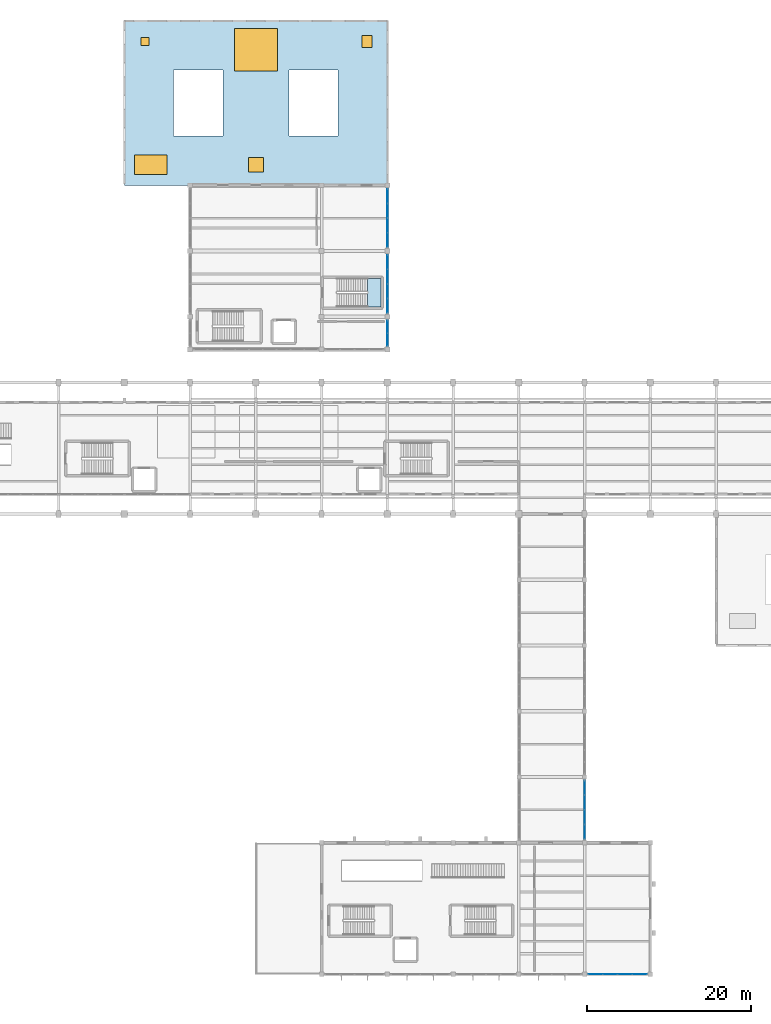
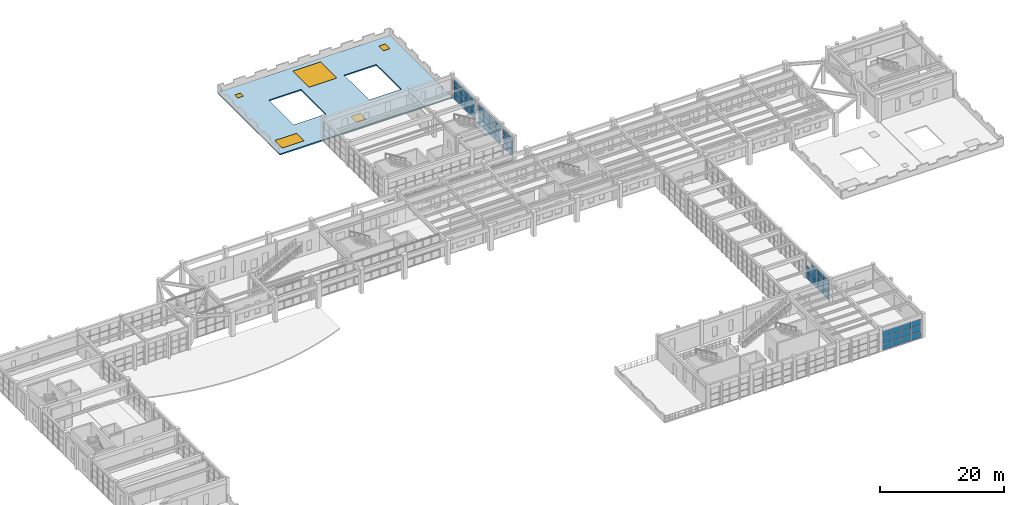
# One storey, part 35 of 59: 53 plates, 3 windows, 2 doors, 2 slabs, 5 openings, 6 elements without a shape of their own.
"""IFC4 building model written with IfcOpenShell, lengths in metres."""

import ifcopenshell
import ifcopenshell.guid

model = None  # the IFC model being written
_history = None  # IfcOwnerHistory: only IFC2X3 demands one
_inside = {}  # id of a spatial element -> (the spatial element, [elements in it])
_under = {}  # id of a project, library or spatial element -> (it, [spatial elements below it])
_declared = {}  # id of a project -> (the project, [libraries it declares])
_typed = {}  # id of a type object -> (the type object, [elements of that type])
_made_of = {}  # id of a material, layer set ... -> (it, [elements and type objects made of it])


def new_model(schema):
    """Start an empty IFC model of exactly this schema.

    Asked for "IFC4X3", IfcOpenShell would pick the latest addendum, in which some entities
    have other attributes; the version numbers below select the first issue.
    IFC2X3 requires an IfcOwnerHistory on every rooted entity: one is made here for all.
    """
    global model, _history
    if schema == "IFC4X3":
        model = ifcopenshell.file(schema_version=(4, 3, 0, 0))
    else:
        model = ifcopenshell.file(schema=schema)
    _inside.clear()
    _under.clear()
    _declared.clear()
    _typed.clear()
    _made_of.clear()
    _history = None
    if model.schema == "IFC2X3":
        org = make("IfcOrganization", Name="unknown")
        user = make(
            "IfcPersonAndOrganization",
            ThePerson=make("IfcPerson", FamilyName="unknown"),
            TheOrganization=org,
        )
        app = make(
            "IfcApplication",
            ApplicationDeveloper=org,
            Version="unknown",
            ApplicationFullName="unknown",
            ApplicationIdentifier="unknown",
        )
        _history = make(
            "IfcOwnerHistory",
            OwningUser=user,
            OwningApplication=app,
            ChangeAction="ADDED",
            CreationDate=0,
        )
    return model


def make(cls, **values):
    """One entity of the class cls with the attributes given. An attribute that is None is left unset."""
    return model.create_entity(
        cls, **{name: value for name, value in values.items() if value is not None}
    )


def rooted(cls, **values):
    """An entity with a GlobalId (a new one), such as an element, a storey or a relation."""
    return make(cls, GlobalId=ifcopenshell.guid.new(), OwnerHistory=_history, **values)


def si_unit(unit_type, name, prefix=None):
    """IfcSIUnit, for example si_unit("LENGTHUNIT", "METRE", prefix="MILLI")."""
    return make("IfcSIUnit", UnitType=unit_type, Prefix=prefix, Name=name)


def assignment(units):
    """IfcUnitAssignment: the units of a project."""
    return None if units is None else make("IfcUnitAssignment", Units=units)


def point(xyz):
    """IfcCartesianPoint."""
    return None if xyz is None else make("IfcCartesianPoint", Coordinates=xyz)


def direction(xyz):
    """IfcDirection."""
    return None if xyz is None else make("IfcDirection", DirectionRatios=xyz)


def frame(location, z_axis=None, x_axis=None):
    """IfcAxis2Placement3D, a coordinate frame: its origin and axes. An axis left out is left unset."""
    return make(
        "IfcAxis2Placement3D",
        Location=point(location),
        Axis=direction(z_axis),
        RefDirection=direction(x_axis),
    )


def frame_2d(location, x_axis=None):
    """IfcAxis2Placement2D, a coordinate frame in the plane: its origin and x axis."""
    return make(
        "IfcAxis2Placement2D", Location=point(location), RefDirection=direction(x_axis)
    )


def origin():
    """The frame at (0, 0, 0) with its axes left unset."""
    return frame((0.0, 0.0, 0.0))


def origin_2d():
    """The frame at (0, 0) in the plane with its x axis left unset."""
    return frame_2d((0.0, 0.0))


def place(relative_to, where):
    """IfcLocalPlacement: puts the frame where relative to a parent placement (None: the world)."""
    return make(
        "IfcLocalPlacement", PlacementRelTo=relative_to, RelativePlacement=where
    )


def context(
    kind, dimensions, precision=None, world=None, true_north=None, identifier=None
):
    """IfcGeometricRepresentationContext, for example the 3D "Model" context."""
    return make(
        "IfcGeometricRepresentationContext",
        ContextIdentifier=identifier,
        ContextType=kind,
        CoordinateSpaceDimension=dimensions,
        Precision=precision,
        WorldCoordinateSystem=world,
        TrueNorth=true_north,
    )


def subcontext(parent, identifier, kind, view, scale=None):
    """IfcGeometricRepresentationSubContext, for example "Body" below "Model"."""
    return make(
        "IfcGeometricRepresentationSubContext",
        ContextIdentifier=identifier,
        ContextType=kind,
        ParentContext=parent,
        TargetScale=scale,
        TargetView=view,
    )


def project(units=None, contexts=None):
    """IfcProject with its units and contexts."""
    return rooted(
        "IfcProject",
        Name="project",
        RepresentationContexts=contexts,
        UnitsInContext=assignment(units),
    )


def spatial(cls, under=None, at=None, **own):
    """A site, building, storey or space (cls), placed at a placement, below another one or the project."""
    s = rooted(cls, ObjectPlacement=at, **own)
    if under is not None:
        _under.setdefault(under.id(), (under, []))[1].append(s)
    return s


def polyline(points):
    """IfcPolyline through the points."""
    return make("IfcPolyline", Points=[point(p) for p in points])


def profile(cls, at=None, kind="AREA", **sizes):
    """A parametric profile (cls). Its sizes go by their IFC names, for example OverallWidth=200.0."""
    return make(cls, ProfileType=kind, Position=at, **sizes)


def rectangle(**sizes):
    """IfcRectangleProfileDef."""
    return profile("IfcRectangleProfileDef", **sizes)


def outline(outer, holes=None, kind="AREA"):
    """IfcArbitraryClosedProfileDef: a profile drawn as a closed curve; with holes, ...WithVoids."""
    if holes is None:
        return make("IfcArbitraryClosedProfileDef", ProfileType=kind, OuterCurve=outer)
    return make(
        "IfcArbitraryProfileDefWithVoids",
        ProfileType=kind,
        OuterCurve=outer,
        InnerCurves=holes,
    )


def extrude(swept, where, along, depth):
    """IfcExtrudedAreaSolid: the profile swept, set in the frame where, extruded along a direction by depth."""
    return make(
        "IfcExtrudedAreaSolid",
        SweptArea=swept,
        Position=where,
        ExtrudedDirection=direction(along),
        Depth=depth,
    )


def shape(context_of_items, identifier, shape_type, items):
    """IfcShapeRepresentation: the items that make up one representation, for example the "Body"."""
    return make(
        "IfcShapeRepresentation",
        ContextOfItems=context_of_items,
        RepresentationIdentifier=identifier,
        RepresentationType=shape_type,
        Items=items,
    )


def material(Name=None, Category=None):
    """IfcMaterial."""
    return make("IfcMaterial", Name=Name, Category=Category)


def layer(
    of_material, thickness, ventilated=None, Name=None, Category=None, Priority=None
):
    """IfcMaterialLayer: one layer of a wall or slab, of a material (None: an air gap)."""
    return make(
        "IfcMaterialLayer",
        Material=of_material,
        LayerThickness=thickness,
        IsVentilated=ventilated,
        Name=Name,
        Category=Category,
        Priority=Priority,
    )


def layer_set(layers, Name=None):
    """IfcMaterialLayerSet."""
    return make("IfcMaterialLayerSet", MaterialLayers=layers, LayerSetName=Name)


def made_of(thing, what):
    """Note that an element or type object is made of a material, layer set ...; save() writes the relation."""
    if what is not None:
        _made_of.setdefault(what.id(), (what, []))[1].append(thing)
    return thing


def type_object(cls, material=None, **own):
    """A type object (cls), such as IfcWallType, which elements share."""
    return made_of(rooted(cls, **own), material)


def element(
    cls,
    number,
    at=None,
    inside=None,
    cuts=None,
    type_object=None,
    material=None,
    context=None,
    identifier="Body",
    shape_type=None,
    held_by="IfcProductDefinitionShape",
    body=None,
    shapes=None,
    **own,
):
    """One element of the class cls, such as IfcWall. Its Tag is "e" and its number.

    at: its placement. inside: the storey or other place that contains it. cuts: it is an
    opening in that element (IfcRelVoidsElement). A single representation is given by context,
    identifier, shape_type and body (its items); several are given by shapes. held_by: the class
    of the entity that holds the representations. save() writes the other relations.
    """
    e = rooted(cls, Tag="e%d" % number, ObjectPlacement=at, **own)
    if body is not None:
        shapes = [shape(context, identifier, shape_type, body)]
    if shapes is not None:
        e.Representation = make(held_by, Representations=shapes)
    if inside is not None:
        _inside.setdefault(inside.id(), (inside, []))[1].append(e)
    if cuts is not None:
        rooted(
            "IfcRelVoidsElement", RelatingBuildingElement=cuts, RelatedOpeningElement=e
        )
    if type_object is not None:
        _typed.setdefault(type_object.id(), (type_object, []))[1].append(e)
    return made_of(e, material)


def fill(opening, filler):
    """IfcRelFillsElement: the door or window that sits in an opening."""
    return rooted(
        "IfcRelFillsElement",
        RelatingOpeningElement=opening,
        RelatedBuildingElement=filler,
    )


def aggregate(whole, parts):
    """IfcRelAggregates: a whole, such as a stair, and the parts it consists of."""
    return rooted("IfcRelAggregates", RelatingObject=whole, RelatedObjects=parts)


def save(model, path):
    """Write the relations noted so far, then the file.

    IfcRelAggregates (storeys below a building ...), IfcRelContainedInSpatialStructure (elements
    in a storey), IfcRelDefinesByType, IfcRelAssociatesMaterial and IfcRelDeclares: one each for
    every whole, place, type object, material and project.
    """
    for whole, parts in _under.values():
        aggregate(whole, parts)
    for where, things in _inside.values():
        rooted(
            "IfcRelContainedInSpatialStructure",
            RelatedElements=things,
            RelatingStructure=where,
        )
    for kind, things in _typed.values():
        rooted("IfcRelDefinesByType", RelatedObjects=things, RelatingType=kind)
    for what, things in _made_of.values():
        rooted("IfcRelAssociatesMaterial", RelatedObjects=things, RelatingMaterial=what)
    for by, libraries in _declared.values():
        rooted("IfcRelDeclares", RelatingContext=by, RelatedDefinitions=libraries)
    model.write(path)


model = new_model("IFC4")

# Units and contexts
model_context = context("Model", 3, precision=1e-05, world=origin(), true_north=direction((0.0, 1.0)))
body_context = subcontext(model_context, "Body", "Model", "MODEL_VIEW")
ifc_project = project(units=[si_unit("LENGTHUNIT", "METRE"), si_unit("AREAUNIT", "SQUARE_METRE"), si_unit("VOLUMEUNIT", "CUBIC_METRE"), si_unit("PLANEANGLEUNIT", "RADIAN"), si_unit("MASSUNIT", "GRAM", prefix="KILO")], contexts=[model_context])

# Site, building, storey
site_placement = place(None, origin())
site = spatial("IfcSite", under=ifc_project, at=site_placement, CompositionType="ELEMENT")
building_placement = place(site_placement, origin())
building = spatial("IfcBuilding", under=site, at=building_placement, Name="Serraluz Foothill Cableway Terminal", CompositionType="ELEMENT")
storey_placement = place(building_placement, frame((0.0, 0.0, 4.800048828125)))
storey = spatial("IfcBuildingStorey", under=building, at=storey_placement, Name="L01", CompositionType="ELEMENT", Elevation=4.800048828125)

# Curtain wall, plates
ifc_material_1 = material(Name="Architectural bronze alloy C28000", Category="aluminium")
curtain_wall_type_1 = type_object("IfcCurtainWallType", Name="TYP-CW-710X420", PredefinedType="NOTDEFINED", material=ifc_material_1)
curtain_wall_1_placement = place(storey_placement, origin())
curtain_wall_1 = element("IfcCurtainWall", 1, at=curtain_wall_1_placement, inside=storey, type_object=curtain_wall_type_1, Name="Ribbed Glazed Curtain Wall CW-CLE-L01-16", PredefinedType="NOTDEFINED")
ifc_material_2 = material(Name="Translucent ribbed laminated channel glass", Category="glass")
ifc_layer_1 = layer(ifc_material_2, 0.028076171875, Name="Translucent ribbed laminated channel glass", Category="glass")
ifc_layer_set_1 = layer_set([ifc_layer_1], Name="Translucent ribbed laminated channel glass")
plate_type_1 = type_object("IfcPlateType", Name="TYP-CW-PNL-28", PredefinedType="CURTAIN_PANEL", material=ifc_layer_set_1)
plate_1_placement = place(storey_placement, frame((128.0, 22.695556640625, 0.06005859375), z_axis=(0.0, 0.0, 1.0), x_axis=(0.0, -1.0, 0.0)))
plate_1 = element("IfcPlate", 2, at=plate_1_placement, type_object=plate_type_1, Name="CW-01 panel 1.1", PredefinedType="CURTAIN_PANEL", context=body_context, shape_type="SweptSolid", body=[
    extrude(rectangle(XDim=1.708740234375, YDim=0.028076171875, at=origin_2d()), origin(), (0.0, 0.0, 1.0), 1.224609375),
])
plate_2_placement = place(storey_placement, frame((128.0, 22.695556640625, 1.3447265625), z_axis=(0.0, 0.0, 1.0), x_axis=(0.0, -1.0, 0.0)))
plate_2 = element("IfcPlate", 3, at=plate_2_placement, type_object=plate_type_1, Name="CW-01 panel 1.2", PredefinedType="CURTAIN_PANEL", context=body_context, shape_type="SweptSolid", body=[
    extrude(rectangle(XDim=1.708740234375, YDim=0.028076171875, at=origin_2d()), origin(), (0.0, 0.0, 1.0), 1.254638671875),
])
plate_3_placement = place(storey_placement, frame((128.0, 20.911865234375, 0.06005859375), z_axis=(0.0, 0.0, 1.0), x_axis=(0.0, -1.0, 0.0)))
plate_3 = element("IfcPlate", 4, at=plate_3_placement, type_object=plate_type_1, Name="CW-01 panel 2.1", PredefinedType="CURTAIN_PANEL", context=body_context, shape_type="SweptSolid", body=[
    extrude(rectangle(XDim=1.73876953125, YDim=0.028076171875, at=origin_2d()), origin(), (0.0, 0.0, 1.0), 1.224609375),
])
plate_4_placement = place(storey_placement, frame((128.0, 20.911865234375, 1.3447265625), z_axis=(0.0, 0.0, 1.0), x_axis=(0.0, -1.0, 0.0)))
plate_4 = element("IfcPlate", 5, at=plate_4_placement, type_object=plate_type_1, Name="CW-01 panel 2.2", PredefinedType="CURTAIN_PANEL", context=body_context, shape_type="SweptSolid", body=[
    extrude(rectangle(XDim=1.73876953125, YDim=0.028076171875, at=origin_2d()), origin(), (0.0, 0.0, 1.0), 1.254638671875),
])
plate_5_placement = place(storey_placement, frame((128.0, 20.911865234375, 2.6591796875), z_axis=(0.0, 0.0, 1.0), x_axis=(0.0, -1.0, 0.0)))
plate_5 = element("IfcPlate", 6, at=plate_5_placement, type_object=plate_type_1, Name="CW-01 panel 2.3", PredefinedType="CURTAIN_PANEL", context=body_context, shape_type="SweptSolid", body=[
    extrude(rectangle(XDim=1.73876953125, YDim=0.028076171875, at=origin_2d()), origin(), (0.0, 0.0, 1.0), 1.224609375),
])
plate_6_placement = place(storey_placement, frame((128.0, 19.113037109375, 0.06005859375), z_axis=(0.0, 0.0, 1.0), x_axis=(0.0, -1.0, 0.0)))
plate_6 = element("IfcPlate", 7, at=plate_6_placement, type_object=plate_type_1, Name="CW-01 panel 3.1", PredefinedType="CURTAIN_PANEL", context=body_context, shape_type="SweptSolid", body=[
    extrude(rectangle(XDim=1.73876953125, YDim=0.028076171875, at=origin_2d()), origin(), (0.0, 0.0, 1.0), 1.224609375),
])
plate_7_placement = place(storey_placement, frame((128.0, 19.113037109375, 1.3447265625), z_axis=(0.0, 0.0, 1.0), x_axis=(0.0, -1.0, 0.0)))
plate_7 = element("IfcPlate", 8, at=plate_7_placement, type_object=plate_type_1, Name="CW-01 panel 3.2", PredefinedType="CURTAIN_PANEL", context=body_context, shape_type="SweptSolid", body=[
    extrude(rectangle(XDim=1.73876953125, YDim=0.028076171875, at=origin_2d()), origin(), (0.0, 0.0, 1.0), 1.254638671875),
])
plate_8_placement = place(storey_placement, frame((128.0, 19.113037109375, 2.6591796875), z_axis=(0.0, 0.0, 1.0), x_axis=(0.0, -1.0, 0.0)))
plate_8 = element("IfcPlate", 9, at=plate_8_placement, type_object=plate_type_1, Name="CW-01 panel 3.3", PredefinedType="CURTAIN_PANEL", context=body_context, shape_type="SweptSolid", body=[
    extrude(rectangle(XDim=1.73876953125, YDim=0.028076171875, at=origin_2d()), origin(), (0.0, 0.0, 1.0), 1.224609375),
])
plate_9_placement = place(storey_placement, frame((128.0, 17.329345703125, 0.06005859375), z_axis=(0.0, 0.0, 1.0), x_axis=(0.0, -1.0, 0.0)))
plate_9 = element("IfcPlate", 10, at=plate_9_placement, type_object=plate_type_1, Name="CW-01 panel 4.1", PredefinedType="CURTAIN_PANEL", context=body_context, shape_type="SweptSolid", body=[
    extrude(rectangle(XDim=1.708740234375, YDim=0.028076171875, at=origin_2d()), origin(), (0.0, 0.0, 1.0), 1.224609375),
])
plate_10_placement = place(storey_placement, frame((128.0, 17.329345703125, 1.3447265625), z_axis=(0.0, 0.0, 1.0), x_axis=(0.0, -1.0, 0.0)))
plate_10 = element("IfcPlate", 11, at=plate_10_placement, type_object=plate_type_1, Name="CW-01 panel 4.2", PredefinedType="CURTAIN_PANEL", context=body_context, shape_type="SweptSolid", body=[
    extrude(rectangle(XDim=1.708740234375, YDim=0.028076171875, at=origin_2d()), origin(), (0.0, 0.0, 1.0), 1.254638671875),
])
plate_11_placement = place(storey_placement, frame((128.0, 17.329345703125, 2.6591796875), z_axis=(0.0, 0.0, 1.0), x_axis=(0.0, -1.0, 0.0)))
plate_11 = element("IfcPlate", 12, at=plate_11_placement, type_object=plate_type_1, Name="CW-01 panel 4.3", PredefinedType="CURTAIN_PANEL", context=body_context, shape_type="SweptSolid", body=[
    extrude(rectangle(XDim=1.708740234375, YDim=0.028076171875, at=origin_2d()), origin(), (0.0, 0.0, 1.0), 1.224609375),
])
aggregate(curtain_wall_1, [plate_1, plate_2, plate_3, plate_4, plate_5, plate_6, plate_7, plate_8, plate_9, plate_10, plate_11])

curtain_wall_type_2 = type_object("IfcCurtainWallType", Name="TYP-CW-680X420", PredefinedType="NOTDEFINED", material=ifc_material_1)
curtain_wall_2_placement = place(storey_placement, origin())
curtain_wall_2 = element("IfcCurtainWall", 13, at=curtain_wall_2_placement, inside=storey, type_object=curtain_wall_type_2, Name="Ribbed Glazed Curtain Wall CW-V4E-L01-76", PredefinedType="NOTDEFINED")
plate_12_placement = place(storey_placement, frame((104.0, 78.764892578125, 0.06005859375), z_axis=(0.0, 0.0, 1.0), x_axis=(0.0, -1.0, 0.0)))
plate_12 = element("IfcPlate", 14, at=plate_12_placement, type_object=plate_type_1, Name="CW-13 panel 1.1", PredefinedType="CURTAIN_PANEL", context=body_context, shape_type="SweptSolid", body=[
    extrude(rectangle(XDim=1.469970703125, YDim=0.028076171875, at=origin_2d()), origin(), (0.0, 0.0, 1.0), 1.20458984375),
])
plate_13_placement = place(storey_placement, frame((104.0, 78.764892578125, 1.32470703125), z_axis=(0.0, 0.0, 1.0), x_axis=(0.0, -1.0, 0.0)))
plate_13 = element("IfcPlate", 15, at=plate_13_placement, type_object=plate_type_1, Name="CW-13 panel 1.2", PredefinedType="CURTAIN_PANEL", context=body_context, shape_type="SweptSolid", body=[
    extrude(rectangle(XDim=1.469970703125, YDim=0.028076171875, at=origin_2d()), origin(), (0.0, 0.0, 1.0), 1.234619140625),
])
plate_14_placement = place(storey_placement, frame((104.0, 78.764892578125, 2.619384765625), z_axis=(0.0, 0.0, 1.0), x_axis=(0.0, -1.0, 0.0)))
plate_14 = element("IfcPlate", 16, at=plate_14_placement, type_object=plate_type_1, Name="CW-13 panel 1.3", PredefinedType="CURTAIN_PANEL", context=body_context, shape_type="SweptSolid", body=[
    extrude(rectangle(XDim=1.469970703125, YDim=0.028076171875, at=origin_2d()), origin(), (0.0, 0.0, 1.0), 1.20458984375),
])
plate_15_placement = place(storey_placement, frame((104.0, 77.235107421875, 0.06005859375), z_axis=(0.0, 0.0, 1.0), x_axis=(0.0, -1.0, 0.0)))
plate_15 = element("IfcPlate", 17, at=plate_15_placement, type_object=plate_type_1, Name="CW-13 panel 2.1", PredefinedType="CURTAIN_PANEL", context=body_context, shape_type="SweptSolid", body=[
    extrude(rectangle(XDim=1.469970703125, YDim=0.028076171875, at=origin_2d()), origin(), (0.0, 0.0, 1.0), 1.20458984375),
])
plate_16_placement = place(storey_placement, frame((104.0, 77.235107421875, 1.32470703125), z_axis=(0.0, 0.0, 1.0), x_axis=(0.0, -1.0, 0.0)))
plate_16 = element("IfcPlate", 18, at=plate_16_placement, type_object=plate_type_1, Name="CW-13 panel 2.2", PredefinedType="CURTAIN_PANEL", context=body_context, shape_type="SweptSolid", body=[
    extrude(rectangle(XDim=1.469970703125, YDim=0.028076171875, at=origin_2d()), origin(), (0.0, 0.0, 1.0), 1.234619140625),
])
plate_17_placement = place(storey_placement, frame((104.0, 77.235107421875, 2.619384765625), z_axis=(0.0, 0.0, 1.0), x_axis=(0.0, -1.0, 0.0)))
plate_17 = element("IfcPlate", 19, at=plate_17_placement, type_object=plate_type_1, Name="CW-13 panel 2.3", PredefinedType="CURTAIN_PANEL", context=body_context, shape_type="SweptSolid", body=[
    extrude(rectangle(XDim=1.469970703125, YDim=0.028076171875, at=origin_2d()), origin(), (0.0, 0.0, 1.0), 1.20458984375),
])
aggregate(curtain_wall_2, [plate_12, plate_13, plate_14, plate_15, plate_16, plate_17])

curtain_wall_3_placement = place(storey_placement, origin())
curtain_wall_3 = element("IfcCurtainWall", 20, at=curtain_wall_3_placement, inside=storey, type_object=curtain_wall_type_2, Name="Ribbed Glazed Curtain Wall CW-V4E-L01-80", PredefinedType="NOTDEFINED")
plate_18_placement = place(storey_placement, frame((104.0, 86.655029296875, 0.06005859375), z_axis=(0.0, 0.0, 1.0), x_axis=(0.0, -1.0, 0.0)))
plate_18 = element("IfcPlate", 21, at=plate_18_placement, type_object=plate_type_1, Name="CW-13 panel 1.1", PredefinedType="CURTAIN_PANEL", context=body_context, shape_type="SweptSolid", body=[
    extrude(rectangle(XDim=1.68994140625, YDim=0.028076171875, at=origin_2d()), origin(), (0.0, 0.0, 1.0), 1.20458984375),
])
plate_19_placement = place(storey_placement, frame((104.0, 86.655029296875, 1.32470703125), z_axis=(0.0, 0.0, 1.0), x_axis=(0.0, -1.0, 0.0)))
plate_19 = element("IfcPlate", 22, at=plate_19_placement, type_object=plate_type_1, Name="CW-13 panel 1.2", PredefinedType="CURTAIN_PANEL", context=body_context, shape_type="SweptSolid", body=[
    extrude(rectangle(XDim=1.68994140625, YDim=0.028076171875, at=origin_2d()), origin(), (0.0, 0.0, 1.0), 1.234619140625),
])
plate_20_placement = place(storey_placement, frame((104.0, 86.655029296875, 2.619384765625), z_axis=(0.0, 0.0, 1.0), x_axis=(0.0, -1.0, 0.0)))
plate_20 = element("IfcPlate", 23, at=plate_20_placement, type_object=plate_type_1, Name="CW-13 panel 1.3", PredefinedType="CURTAIN_PANEL", context=body_context, shape_type="SweptSolid", body=[
    extrude(rectangle(XDim=1.68994140625, YDim=0.028076171875, at=origin_2d()), origin(), (0.0, 0.0, 1.0), 1.20458984375),
])
plate_21_placement = place(storey_placement, frame((104.0, 84.889892578125, 0.06005859375), z_axis=(0.0, 0.0, 1.0), x_axis=(0.0, -1.0, 0.0)))
plate_21 = element("IfcPlate", 24, at=plate_21_placement, type_object=plate_type_1, Name="CW-13 panel 2.1", PredefinedType="CURTAIN_PANEL", context=body_context, shape_type="SweptSolid", body=[
    extrude(rectangle(XDim=1.719970703125, YDim=0.028076171875, at=origin_2d()), origin(), (0.0, 0.0, 1.0), 1.20458984375),
])
plate_22_placement = place(storey_placement, frame((104.0, 84.889892578125, 1.32470703125), z_axis=(0.0, 0.0, 1.0), x_axis=(0.0, -1.0, 0.0)))
plate_22 = element("IfcPlate", 25, at=plate_22_placement, type_object=plate_type_1, Name="CW-13 panel 2.2", PredefinedType="CURTAIN_PANEL", context=body_context, shape_type="SweptSolid", body=[
    extrude(rectangle(XDim=1.719970703125, YDim=0.028076171875, at=origin_2d()), origin(), (0.0, 0.0, 1.0), 1.234619140625),
])
plate_23_placement = place(storey_placement, frame((104.0, 84.889892578125, 2.619384765625), z_axis=(0.0, 0.0, 1.0), x_axis=(0.0, -1.0, 0.0)))
plate_23 = element("IfcPlate", 26, at=plate_23_placement, type_object=plate_type_1, Name="CW-13 panel 2.3", PredefinedType="CURTAIN_PANEL", context=body_context, shape_type="SweptSolid", body=[
    extrude(rectangle(XDim=1.719970703125, YDim=0.028076171875, at=origin_2d()), origin(), (0.0, 0.0, 1.0), 1.20458984375),
])
plate_24_placement = place(storey_placement, frame((104.0, 83.110107421875, 0.06005859375), z_axis=(0.0, 0.0, 1.0), x_axis=(0.0, -1.0, 0.0)))
plate_24 = element("IfcPlate", 27, at=plate_24_placement, type_object=plate_type_1, Name="CW-13 panel 3.1", PredefinedType="CURTAIN_PANEL", context=body_context, shape_type="SweptSolid", body=[
    extrude(rectangle(XDim=1.719970703125, YDim=0.028076171875, at=origin_2d()), origin(), (0.0, 0.0, 1.0), 1.20458984375),
])
plate_25_placement = place(storey_placement, frame((104.0, 83.110107421875, 1.32470703125), z_axis=(0.0, 0.0, 1.0), x_axis=(0.0, -1.0, 0.0)))
plate_25 = element("IfcPlate", 28, at=plate_25_placement, type_object=plate_type_1, Name="CW-13 panel 3.2", PredefinedType="CURTAIN_PANEL", context=body_context, shape_type="SweptSolid", body=[
    extrude(rectangle(XDim=1.719970703125, YDim=0.028076171875, at=origin_2d()), origin(), (0.0, 0.0, 1.0), 1.234619140625),
])
plate_26_placement = place(storey_placement, frame((104.0, 83.110107421875, 2.619384765625), z_axis=(0.0, 0.0, 1.0), x_axis=(0.0, -1.0, 0.0)))
plate_26 = element("IfcPlate", 29, at=plate_26_placement, type_object=plate_type_1, Name="CW-13 panel 3.3", PredefinedType="CURTAIN_PANEL", context=body_context, shape_type="SweptSolid", body=[
    extrude(rectangle(XDim=1.719970703125, YDim=0.028076171875, at=origin_2d()), origin(), (0.0, 0.0, 1.0), 1.20458984375),
])
plate_27_placement = place(storey_placement, frame((104.0, 81.344970703125, 0.06005859375), z_axis=(0.0, 0.0, 1.0), x_axis=(0.0, -1.0, 0.0)))
plate_27 = element("IfcPlate", 30, at=plate_27_placement, type_object=plate_type_1, Name="CW-13 panel 4.1", PredefinedType="CURTAIN_PANEL", context=body_context, shape_type="SweptSolid", body=[
    extrude(rectangle(XDim=1.68994140625, YDim=0.028076171875, at=origin_2d()), origin(), (0.0, 0.0, 1.0), 1.20458984375),
])
plate_28_placement = place(storey_placement, frame((104.0, 81.344970703125, 1.32470703125), z_axis=(0.0, 0.0, 1.0), x_axis=(0.0, -1.0, 0.0)))
plate_28 = element("IfcPlate", 31, at=plate_28_placement, type_object=plate_type_1, Name="CW-13 panel 4.2", PredefinedType="CURTAIN_PANEL", context=body_context, shape_type="SweptSolid", body=[
    extrude(rectangle(XDim=1.68994140625, YDim=0.028076171875, at=origin_2d()), origin(), (0.0, 0.0, 1.0), 1.234619140625),
])
plate_29_placement = place(storey_placement, frame((104.0, 81.344970703125, 2.619384765625), z_axis=(0.0, 0.0, 1.0), x_axis=(0.0, -1.0, 0.0)))
plate_29 = element("IfcPlate", 32, at=plate_29_placement, type_object=plate_type_1, Name="CW-13 panel 4.3", PredefinedType="CURTAIN_PANEL", context=body_context, shape_type="SweptSolid", body=[
    extrude(rectangle(XDim=1.68994140625, YDim=0.028076171875, at=origin_2d()), origin(), (0.0, 0.0, 1.0), 1.20458984375),
])
aggregate(curtain_wall_3, [plate_18, plate_19, plate_20, plate_21, plate_22, plate_23, plate_24, plate_25, plate_26, plate_27, plate_28, plate_29])

curtain_wall_4_placement = place(storey_placement, origin())
curtain_wall_4 = element("IfcCurtainWall", 33, at=curtain_wall_4_placement, inside=storey, type_object=curtain_wall_type_2, Name="Ribbed Glazed Curtain Wall CW-V4E-L01-88", PredefinedType="NOTDEFINED")
plate_30_placement = place(storey_placement, frame((104.0, 94.655029296875, 0.06005859375), z_axis=(0.0, 0.0, 1.0), x_axis=(0.0, -1.0, 0.0)))
plate_30 = element("IfcPlate", 34, at=plate_30_placement, type_object=plate_type_1, Name="CW-13 panel 1.1", PredefinedType="CURTAIN_PANEL", context=body_context, shape_type="SweptSolid", body=[
    extrude(rectangle(XDim=1.68994140625, YDim=0.028076171875, at=origin_2d()), origin(), (0.0, 0.0, 1.0), 1.20458984375),
])
plate_31_placement = place(storey_placement, frame((104.0, 94.655029296875, 1.32470703125), z_axis=(0.0, 0.0, 1.0), x_axis=(0.0, -1.0, 0.0)))
plate_31 = element("IfcPlate", 35, at=plate_31_placement, type_object=plate_type_1, Name="CW-13 panel 1.2", PredefinedType="CURTAIN_PANEL", context=body_context, shape_type="SweptSolid", body=[
    extrude(rectangle(XDim=1.68994140625, YDim=0.028076171875, at=origin_2d()), origin(), (0.0, 0.0, 1.0), 1.234619140625),
])
plate_32_placement = place(storey_placement, frame((104.0, 94.655029296875, 2.619384765625), z_axis=(0.0, 0.0, 1.0), x_axis=(0.0, -1.0, 0.0)))
plate_32 = element("IfcPlate", 36, at=plate_32_placement, type_object=plate_type_1, Name="CW-13 panel 1.3", PredefinedType="CURTAIN_PANEL", context=body_context, shape_type="SweptSolid", body=[
    extrude(rectangle(XDim=1.68994140625, YDim=0.028076171875, at=origin_2d()), origin(), (0.0, 0.0, 1.0), 1.20458984375),
])
plate_33_placement = place(storey_placement, frame((104.0, 92.889892578125, 0.06005859375), z_axis=(0.0, 0.0, 1.0), x_axis=(0.0, -1.0, 0.0)))
plate_33 = element("IfcPlate", 37, at=plate_33_placement, type_object=plate_type_1, Name="CW-13 panel 2.1", PredefinedType="CURTAIN_PANEL", context=body_context, shape_type="SweptSolid", body=[
    extrude(rectangle(XDim=1.719970703125, YDim=0.028076171875, at=origin_2d()), origin(), (0.0, 0.0, 1.0), 1.20458984375),
])
plate_34_placement = place(storey_placement, frame((104.0, 92.889892578125, 1.32470703125), z_axis=(0.0, 0.0, 1.0), x_axis=(0.0, -1.0, 0.0)))
plate_34 = element("IfcPlate", 38, at=plate_34_placement, type_object=plate_type_1, Name="CW-13 panel 2.2", PredefinedType="CURTAIN_PANEL", context=body_context, shape_type="SweptSolid", body=[
    extrude(rectangle(XDim=1.719970703125, YDim=0.028076171875, at=origin_2d()), origin(), (0.0, 0.0, 1.0), 1.234619140625),
])
plate_35_placement = place(storey_placement, frame((104.0, 92.889892578125, 2.619384765625), z_axis=(0.0, 0.0, 1.0), x_axis=(0.0, -1.0, 0.0)))
plate_35 = element("IfcPlate", 39, at=plate_35_placement, type_object=plate_type_1, Name="CW-13 panel 2.3", PredefinedType="CURTAIN_PANEL", context=body_context, shape_type="SweptSolid", body=[
    extrude(rectangle(XDim=1.719970703125, YDim=0.028076171875, at=origin_2d()), origin(), (0.0, 0.0, 1.0), 1.20458984375),
])
plate_36_placement = place(storey_placement, frame((104.0, 91.110107421875, 0.06005859375), z_axis=(0.0, 0.0, 1.0), x_axis=(0.0, -1.0, 0.0)))
plate_36 = element("IfcPlate", 40, at=plate_36_placement, type_object=plate_type_1, Name="CW-13 panel 3.1", PredefinedType="CURTAIN_PANEL", context=body_context, shape_type="SweptSolid", body=[
    extrude(rectangle(XDim=1.719970703125, YDim=0.028076171875, at=origin_2d()), origin(), (0.0, 0.0, 1.0), 1.20458984375),
])
plate_37_placement = place(storey_placement, frame((104.0, 91.110107421875, 1.32470703125), z_axis=(0.0, 0.0, 1.0), x_axis=(0.0, -1.0, 0.0)))
plate_37 = element("IfcPlate", 41, at=plate_37_placement, type_object=plate_type_1, Name="CW-13 panel 3.2", PredefinedType="CURTAIN_PANEL", context=body_context, shape_type="SweptSolid", body=[
    extrude(rectangle(XDim=1.719970703125, YDim=0.028076171875, at=origin_2d()), origin(), (0.0, 0.0, 1.0), 1.234619140625),
])
plate_38_placement = place(storey_placement, frame((104.0, 91.110107421875, 2.619384765625), z_axis=(0.0, 0.0, 1.0), x_axis=(0.0, -1.0, 0.0)))
plate_38 = element("IfcPlate", 42, at=plate_38_placement, type_object=plate_type_1, Name="CW-13 panel 3.3", PredefinedType="CURTAIN_PANEL", context=body_context, shape_type="SweptSolid", body=[
    extrude(rectangle(XDim=1.719970703125, YDim=0.028076171875, at=origin_2d()), origin(), (0.0, 0.0, 1.0), 1.20458984375),
])
plate_39_placement = place(storey_placement, frame((104.0, 89.344970703125, 0.06005859375), z_axis=(0.0, 0.0, 1.0), x_axis=(0.0, -1.0, 0.0)))
plate_39 = element("IfcPlate", 43, at=plate_39_placement, type_object=plate_type_1, Name="CW-13 panel 4.1", PredefinedType="CURTAIN_PANEL", context=body_context, shape_type="SweptSolid", body=[
    extrude(rectangle(XDim=1.68994140625, YDim=0.028076171875, at=origin_2d()), origin(), (0.0, 0.0, 1.0), 1.20458984375),
])
plate_40_placement = place(storey_placement, frame((104.0, 89.344970703125, 1.32470703125), z_axis=(0.0, 0.0, 1.0), x_axis=(0.0, -1.0, 0.0)))
plate_40 = element("IfcPlate", 44, at=plate_40_placement, type_object=plate_type_1, Name="CW-13 panel 4.2", PredefinedType="CURTAIN_PANEL", context=body_context, shape_type="SweptSolid", body=[
    extrude(rectangle(XDim=1.68994140625, YDim=0.028076171875, at=origin_2d()), origin(), (0.0, 0.0, 1.0), 1.234619140625),
])
plate_41_placement = place(storey_placement, frame((104.0, 89.344970703125, 2.619384765625), z_axis=(0.0, 0.0, 1.0), x_axis=(0.0, -1.0, 0.0)))
plate_41 = element("IfcPlate", 45, at=plate_41_placement, type_object=plate_type_1, Name="CW-13 panel 4.3", PredefinedType="CURTAIN_PANEL", context=body_context, shape_type="SweptSolid", body=[
    extrude(rectangle(XDim=1.68994140625, YDim=0.028076171875, at=origin_2d()), origin(), (0.0, 0.0, 1.0), 1.20458984375),
])
aggregate(curtain_wall_4, [plate_30, plate_31, plate_32, plate_33, plate_34, plate_35, plate_36, plate_37, plate_38, plate_39, plate_40, plate_41])

curtain_wall_type_3 = type_object("IfcCurtainWallType", Name="TYP-CW-380X420", PredefinedType="NOTDEFINED", material=ifc_material_1)
curtain_wall_5_placement = place(storey_placement, origin())
curtain_wall_5 = element("IfcCurtainWall", 46, at=curtain_wall_5_placement, inside=storey, type_object=curtain_wall_type_3, Name="Ribbed Glazed Curtain Wall CW-V3S-L01-128", PredefinedType="NOTDEFINED")
ifc_material_3 = material(Name="Laminated low-E safety glass", Category="glass")
ifc_layer_2 = layer(ifc_material_3, 0.031982421875, Name="Laminated low-E safety glass", Category="glass")
ifc_layer_set_2 = layer_set([ifc_layer_2], Name="Laminated low-E safety glass")
plate_type_2 = type_object("IfcPlateType", Name="TYP-CW-PNL-32", PredefinedType="CURTAIN_PANEL", material=ifc_layer_set_2)
plate_42_placement = place(storey_placement, frame((134.673828125, 0.0, 0.06005859375), z_axis=(0.0, 0.0, 1.0), x_axis=(-1.0, 0.0, 0.0)))
plate_42 = element("IfcPlate", 47, at=plate_42_placement, type_object=plate_type_2, Name="CW-17 panel 1.1", PredefinedType="CURTAIN_PANEL", context=body_context, shape_type="SweptSolid", body=[
    extrude(rectangle(XDim=1.702392578125, YDim=0.031982421875, at=origin_2d()), origin(), (0.0, 0.0, 1.0), 1.186767578125),
])
plate_43_placement = place(storey_placement, frame((134.673828125, 0.0, 1.306640625), z_axis=(0.0, 0.0, 1.0), x_axis=(-1.0, 0.0, 0.0)))
plate_43 = element("IfcPlate", 48, at=plate_43_placement, type_object=plate_type_2, Name="CW-17 panel 1.2", PredefinedType="CURTAIN_PANEL", context=body_context, shape_type="SweptSolid", body=[
    extrude(rectangle(XDim=1.702392578125, YDim=0.031982421875, at=origin_2d()), origin(), (0.0, 0.0, 1.0), 1.216552734375),
])
plate_44_placement = place(storey_placement, frame((134.673828125, 0.0, 2.5830078125), z_axis=(0.0, 0.0, 1.0), x_axis=(-1.0, 0.0, 0.0)))
plate_44 = element("IfcPlate", 49, at=plate_44_placement, type_object=plate_type_2, Name="CW-17 panel 1.3", PredefinedType="CURTAIN_PANEL", context=body_context, shape_type="SweptSolid", body=[
    extrude(rectangle(XDim=1.702392578125, YDim=0.031982421875, at=origin_2d()), origin(), (0.0, 0.0, 1.0), 1.186767578125),
])
plate_45_placement = place(storey_placement, frame((132.896240234375, 0.0, 0.06005859375), z_axis=(0.0, 0.0, 1.0), x_axis=(-1.0, 0.0, 0.0)))
plate_45 = element("IfcPlate", 50, at=plate_45_placement, type_object=plate_type_2, Name="CW-17 panel 2.1", PredefinedType="CURTAIN_PANEL", context=body_context, shape_type="SweptSolid", body=[
    extrude(rectangle(XDim=1.732421875, YDim=0.031982421875, at=origin_2d()), origin(), (0.0, 0.0, 1.0), 1.186767578125),
])
plate_46_placement = place(storey_placement, frame((132.896240234375, 0.0, 1.306640625), z_axis=(0.0, 0.0, 1.0), x_axis=(-1.0, 0.0, 0.0)))
plate_46 = element("IfcPlate", 51, at=plate_46_placement, type_object=plate_type_2, Name="CW-17 panel 2.2", PredefinedType="CURTAIN_PANEL", context=body_context, shape_type="SweptSolid", body=[
    extrude(rectangle(XDim=1.732421875, YDim=0.031982421875, at=origin_2d()), origin(), (0.0, 0.0, 1.0), 1.216552734375),
])
plate_47_placement = place(storey_placement, frame((132.896240234375, 0.0, 2.5830078125), z_axis=(0.0, 0.0, 1.0), x_axis=(-1.0, 0.0, 0.0)))
plate_47 = element("IfcPlate", 52, at=plate_47_placement, type_object=plate_type_2, Name="CW-17 panel 2.3", PredefinedType="CURTAIN_PANEL", context=body_context, shape_type="SweptSolid", body=[
    extrude(rectangle(XDim=1.732421875, YDim=0.031982421875, at=origin_2d()), origin(), (0.0, 0.0, 1.0), 1.186767578125),
])
plate_48_placement = place(storey_placement, frame((131.103759765625, 0.0, 0.06005859375), z_axis=(0.0, 0.0, 1.0), x_axis=(-1.0, 0.0, 0.0)))
plate_48 = element("IfcPlate", 53, at=plate_48_placement, type_object=plate_type_2, Name="CW-17 panel 3.1", PredefinedType="CURTAIN_PANEL", context=body_context, shape_type="SweptSolid", body=[
    extrude(rectangle(XDim=1.732421875, YDim=0.031982421875, at=origin_2d()), origin(), (0.0, 0.0, 1.0), 1.186767578125),
])
plate_49_placement = place(storey_placement, frame((131.103759765625, 0.0, 1.306640625), z_axis=(0.0, 0.0, 1.0), x_axis=(-1.0, 0.0, 0.0)))
plate_49 = element("IfcPlate", 54, at=plate_49_placement, type_object=plate_type_2, Name="CW-17 panel 3.2", PredefinedType="CURTAIN_PANEL", context=body_context, shape_type="SweptSolid", body=[
    extrude(rectangle(XDim=1.732421875, YDim=0.031982421875, at=origin_2d()), origin(), (0.0, 0.0, 1.0), 1.216552734375),
])
plate_50_placement = place(storey_placement, frame((131.103759765625, 0.0, 2.5830078125), z_axis=(0.0, 0.0, 1.0), x_axis=(-1.0, 0.0, 0.0)))
plate_50 = element("IfcPlate", 55, at=plate_50_placement, type_object=plate_type_2, Name="CW-17 panel 3.3", PredefinedType="CURTAIN_PANEL", context=body_context, shape_type="SweptSolid", body=[
    extrude(rectangle(XDim=1.732421875, YDim=0.031982421875, at=origin_2d()), origin(), (0.0, 0.0, 1.0), 1.186767578125),
])
plate_51_placement = place(storey_placement, frame((129.326171875, 0.0, 0.06005859375), z_axis=(0.0, 0.0, 1.0), x_axis=(-1.0, 0.0, 0.0)))
plate_51 = element("IfcPlate", 56, at=plate_51_placement, type_object=plate_type_2, Name="CW-17 panel 4.1", PredefinedType="CURTAIN_PANEL", context=body_context, shape_type="SweptSolid", body=[
    extrude(rectangle(XDim=1.702392578125, YDim=0.031982421875, at=origin_2d()), origin(), (0.0, 0.0, 1.0), 1.186767578125),
])
plate_52_placement = place(storey_placement, frame((129.326171875, 0.0, 1.306640625), z_axis=(0.0, 0.0, 1.0), x_axis=(-1.0, 0.0, 0.0)))
plate_52 = element("IfcPlate", 57, at=plate_52_placement, type_object=plate_type_2, Name="CW-17 panel 4.2", PredefinedType="CURTAIN_PANEL", context=body_context, shape_type="SweptSolid", body=[
    extrude(rectangle(XDim=1.702392578125, YDim=0.031982421875, at=origin_2d()), origin(), (0.0, 0.0, 1.0), 1.216552734375),
])
plate_53_placement = place(storey_placement, frame((129.326171875, 0.0, 2.5830078125), z_axis=(0.0, 0.0, 1.0), x_axis=(-1.0, 0.0, 0.0)))
plate_53 = element("IfcPlate", 58, at=plate_53_placement, type_object=plate_type_2, Name="CW-17 panel 4.3", PredefinedType="CURTAIN_PANEL", context=body_context, shape_type="SweptSolid", body=[
    extrude(rectangle(XDim=1.702392578125, YDim=0.031982421875, at=origin_2d()), origin(), (0.0, 0.0, 1.0), 1.186767578125),
])
aggregate(curtain_wall_5, [plate_42, plate_43, plate_44, plate_45, plate_46, plate_47, plate_48, plate_49, plate_50, plate_51, plate_52, plate_53])

# Stair, slab
ifc_material_4 = material(Name="Concrete C35/45 (f'c 35 MPa)", Category="concrete")
stair_type = type_object("IfcStairType", Name="TYP-ST-DOG-166-48", PredefinedType="HALF_TURN_STAIR", material=ifc_material_4)
stair_placement = place(storey_placement, origin())
stair = element("IfcStair", 59, at=stair_placement, inside=storey, type_object=stair_type, Name="L01 ST-09", PredefinedType="HALF_TURN_STAIR")
ifc_material_5 = material(Name="Concrete C28/35 (f'c 28 MPa)", Category="concrete")
ifc_layer_3 = layer(ifc_material_5, 0.199951171875, Name="Concrete C28/35 (f'c 28 MPa)", Category="concrete")
ifc_layer_set_3 = layer_set([ifc_layer_3], Name="Concrete C28/35 (f'c 28 MPa)")
slab_type_1 = type_object("IfcSlabType", Name="TYP-SLB-LND-200", PredefinedType="LANDING", material=ifc_layer_set_3)
slab_1_placement = place(storey_placement, frame((0.0, 0.0, 2.199951171875)))
slab_1 = element("IfcSlab", 60, at=slab_1_placement, type_object=slab_type_1, Name="ST-09 landing 1", PredefinedType="LANDING", context=body_context, shape_type="SweptSolid", body=[
    extrude(outline(polyline([(101.56494140625, 81.199951171875), (103.22509765625, 81.199951171875), (103.22509765625, 84.679931640625), (101.56494140625, 84.679931640625), (101.56494140625, 81.199951171875)])), origin(), (0.0, 0.0, 1.0), 0.199951171875),
])
aggregate(stair, [slab_1])

# Slab, openings, doors, windows
ifc_layer_4 = layer(ifc_material_5, 0.239990234375, Name="Concrete C28/35 (f'c 28 MPa)", Category="concrete")
ifc_layer_set_4 = layer_set([ifc_layer_4], Name="Concrete C28/35 (f'c 28 MPa)")
slab_type_2 = type_object("IfcSlabType", Name="TYP-SLB-ROOF-240", PredefinedType="ROOF", material=ifc_layer_set_4)
slab_2_placement = place(storey_placement, frame((0.0, 0.0, -0.179931640625)))
slab_2 = element("IfcSlab", 61, at=slab_2_placement, inside=storey, type_object=slab_type_2, Name="Structural Roof Deck ROOF-L01-V4N", PredefinedType="ROOF", context=body_context, shape_type="SweptSolid", body=[
    extrude(outline(polyline([(72.0, 96.0), (104.0, 96.0), (104.0, 116.0), (72.0, 116.0), (72.0, 96.0)]), holes=[polyline([(78.0, 102.0), (84.0, 102.0), (84.0, 110.0), (78.0, 110.0), (78.0, 102.0)]), polyline([(92.0, 102.0), (98.0, 102.0), (98.0, 110.0), (92.0, 110.0), (92.0, 102.0)])]), origin(), (0.0, 0.0, 1.0), 0.239990234375),
])
opening_1_placement = place(slab_2_placement, frame((75.199951171875, 98.5, -0.010009765625)))
opening_1 = element("IfcOpeningElement", 62, at=opening_1_placement, cuts=slab_2, Name="Opening SK-04", PredefinedType="OPENING", context=body_context, shape_type="SweptSolid", body=[
    extrude(rectangle(XDim=4.0, YDim=2.39990234375, at=origin_2d()), origin(), (0.0, 0.0, 1.0), 0.260009765625),
])
opening_2_placement = place(slab_2_placement, frame((88.0, 98.5, -0.010009765625)))
opening_2 = element("IfcOpeningElement", 63, at=opening_2_placement, cuts=slab_2, Name="Opening SK-01", PredefinedType="OPENING", context=body_context, shape_type="SweptSolid", body=[
    extrude(rectangle(XDim=1.800048828125, YDim=1.800048828125, at=origin_2d()), origin(), (0.0, 0.0, 1.0), 0.260009765625),
])
opening_3_placement = place(slab_2_placement, frame((88.0, 112.5, -0.010009765625)))
opening_3 = element("IfcOpeningElement", 64, at=opening_3_placement, cuts=slab_2, Name="Opening SK-05", PredefinedType="OPENING", context=body_context, shape_type="SweptSolid", body=[
    extrude(rectangle(XDim=5.199951171875, YDim=5.199951171875, at=origin_2d()), origin(), (0.0, 0.0, 1.0), 0.260009765625),
])
opening_4_placement = place(slab_2_placement, frame((74.5, 113.5, -0.010009765625)))
opening_4 = element("IfcOpeningElement", 65, at=opening_4_placement, cuts=slab_2, Name="Opening RH-01", PredefinedType="OPENING", context=body_context, shape_type="SweptSolid", body=[
    extrude(rectangle(XDim=1.0, YDim=1.0, at=origin_2d()), origin(), (0.0, 0.0, 1.0), 0.260009765625),
])
opening_5_placement = place(slab_2_placement, frame((101.5, 113.5, -0.010009765625)))
opening_5 = element("IfcOpeningElement", 66, at=opening_5_placement, cuts=slab_2, Name="Opening RH-02", PredefinedType="OPENING", context=body_context, shape_type="SweptSolid", body=[
    extrude(rectangle(XDim=1.199951171875, YDim=1.5, at=origin_2d()), origin(), (0.0, 0.0, 1.0), 0.260009765625),
])
door_type_1 = type_object("IfcDoorType", Name="TYP-HT-ROOF-1000", OperationType="SINGLE_SWING_LEFT", PredefinedType="TRAPDOOR", material=ifc_material_1)
door_1_placement = place(slab_2_placement, frame((74.5, 113.5, 0.18994140625)))
door_1 = element("IfcDoor", 67, at=door_1_placement, inside=storey, type_object=door_type_1, Name="Roof Skylight or Access Hatch HT-L01-V4-1", OperationType="SINGLE_SWING_LEFT", OverallHeight=1.0, OverallWidth=1.0, PredefinedType="TRAPDOOR", context=body_context, shape_type="SweptSolid", body=[
    extrude(rectangle(XDim=1.0, YDim=1.0, at=origin_2d()), origin(), (0.0, 0.0, 1.0), 0.050048828125),
])
fill(opening_4, door_1)
door_type_2 = type_object("IfcDoorType", Name="TYP-HT-ROOF-1200", OperationType="SINGLE_SWING_LEFT", PredefinedType="TRAPDOOR", material=ifc_material_1)
door_2_placement = place(slab_2_placement, frame((101.5, 113.5, 0.18994140625)))
door_2 = element("IfcDoor", 68, at=door_2_placement, inside=storey, type_object=door_type_2, Name="Roof Skylight or Access Hatch HT-L01-V4-2", OperationType="SINGLE_SWING_LEFT", OverallHeight=1.5, OverallWidth=1.199951171875, PredefinedType="TRAPDOOR", context=body_context, shape_type="SweptSolid", body=[
    extrude(rectangle(XDim=1.199951171875, YDim=1.5, at=origin_2d()), origin(), (0.0, 0.0, 1.0), 0.050048828125),
])
fill(opening_5, door_2)
window_type_1 = type_object("IfcWindowType", Name="TYP-SK-180X180", PartitioningType="SINGLE_PANEL", PredefinedType="SKYLIGHT", material=ifc_material_3)
window_1_placement = place(slab_2_placement, frame((88.0, 98.5, 0.18994140625)))
window_1 = element("IfcWindow", 69, at=window_1_placement, inside=storey, type_object=window_type_1, Name="Roof Skylight or Access Hatch SK-L01-V4-2", OverallHeight=1.800048828125, OverallWidth=1.800048828125, PartitioningType="SINGLE_PANEL", PredefinedType="SKYLIGHT", context=body_context, shape_type="SweptSolid", body=[
    extrude(rectangle(XDim=1.800048828125, YDim=1.800048828125, at=origin_2d()), origin(), (0.0, 0.0, 1.0), 0.050048828125),
])
fill(opening_2, window_1)
window_type_2 = type_object("IfcWindowType", Name="TYP-SK-400X240", PartitioningType="TRIPLE_PANEL_VERTICAL", PredefinedType="SKYLIGHT", material=ifc_material_3)
window_2_placement = place(slab_2_placement, frame((75.199951171875, 98.5, 0.18994140625)))
window_2 = element("IfcWindow", 70, at=window_2_placement, inside=storey, type_object=window_type_2, Name="Roof Skylight or Access Hatch SK-L01-V4-1", OverallHeight=2.39990234375, OverallWidth=4.0, PartitioningType="SINGLE_PANEL", PredefinedType="SKYLIGHT", context=body_context, shape_type="SweptSolid", body=[
    extrude(rectangle(XDim=4.0, YDim=2.39990234375, at=origin_2d()), origin(), (0.0, 0.0, 1.0), 0.050048828125),
])
fill(opening_1, window_2)
window_type_3 = type_object("IfcWindowType", Name="TYP-SK-520X520", PartitioningType="TRIPLE_PANEL_VERTICAL", PredefinedType="SKYLIGHT", material=ifc_material_3)
window_3_placement = place(slab_2_placement, frame((88.0, 112.5, 0.18994140625)))
window_3 = element("IfcWindow", 71, at=window_3_placement, inside=storey, type_object=window_type_3, Name="Roof Skylight or Access Hatch SK-L01-V4-3", OverallHeight=5.199951171875, OverallWidth=5.199951171875, PartitioningType="SINGLE_PANEL", PredefinedType="SKYLIGHT", context=body_context, shape_type="SweptSolid", body=[
    extrude(rectangle(XDim=5.199951171875, YDim=5.199951171875, at=origin_2d()), origin(), (0.0, 0.0, 1.0), 0.050048828125),
])
fill(opening_3, window_3)

save(model, "model.ifc")
